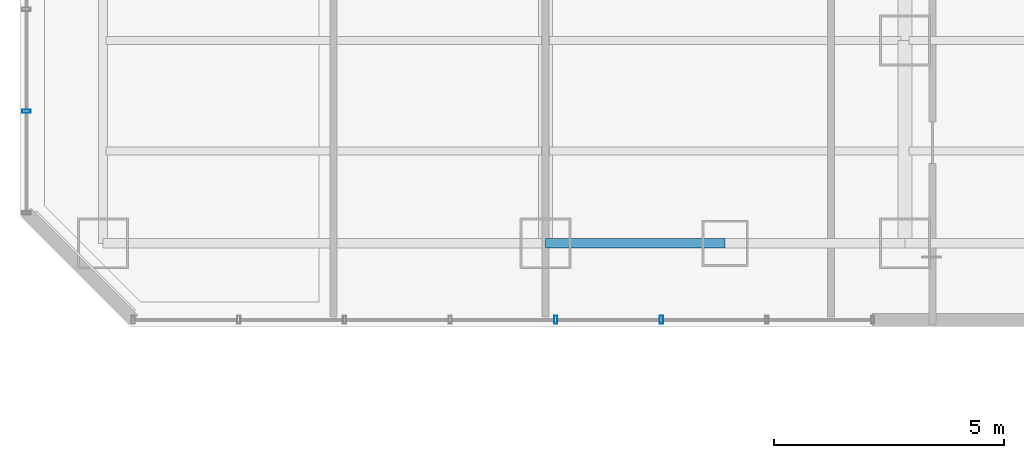
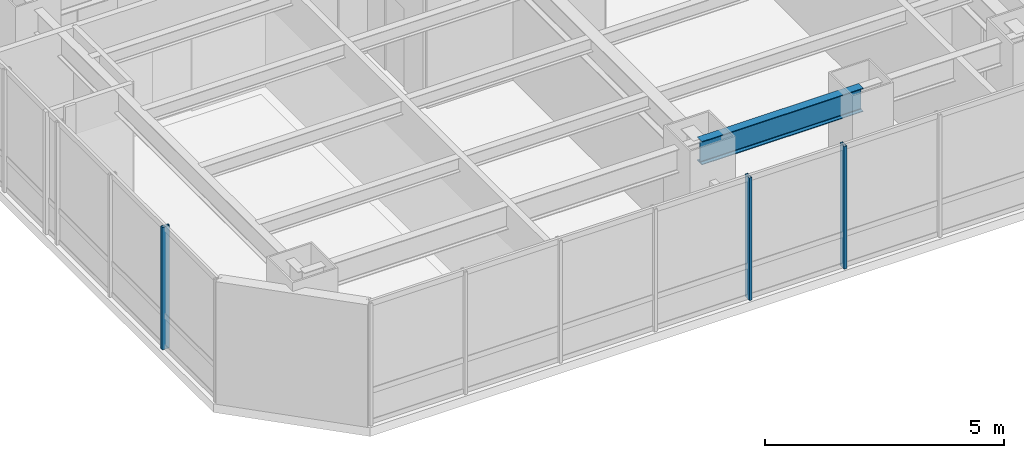
# One storey, part 4 of 38: 3 members, 1 beam, 2 elements without a shape of their own.
"""IFC4 building model written with IfcOpenShell, lengths in metres."""

from ifc_helpers import new_model, si_unit, direction, frame, origin, origin_2d, place, context, subcontext, project, spatial, hollow_rectangle, i_section, extrude, material, layer, layer_set, material_profile, profile_set, type_object, element, aggregate, save


model = new_model("IFC4")

# Units and contexts
model_context = context("Model", 3, precision=1e-05, world=origin(), true_north=direction((0.0, 1.0)))
body_context = subcontext(model_context, "Body", "Model", "MODEL_VIEW")
ifc_project = project(units=[si_unit("LENGTHUNIT", "METRE"), si_unit("AREAUNIT", "SQUARE_METRE"), si_unit("VOLUMEUNIT", "CUBIC_METRE"), si_unit("PLANEANGLEUNIT", "RADIAN"), si_unit("MASSUNIT", "GRAM", prefix="KILO")], contexts=[model_context])

# Site, building, storey
site_placement = place(None, origin())
site = spatial("IfcSite", under=ifc_project, at=site_placement, CompositionType="ELEMENT")
building_placement = place(site_placement, origin())
building = spatial("IfcBuilding", under=site, at=building_placement, Name="Hatsunagi Terrace Concourse", CompositionType="ELEMENT")
storey_placement = place(building_placement, frame((0.0, 0.0, 60.050048828125)))
storey = spatial("IfcBuildingStorey", under=building, at=storey_placement, Name="L15", CompositionType="ELEMENT", Elevation=60.050048828125)

# Curtain wall, members
ifc_material_1 = material(Name="Anodised Aluminium Alloy 6063-T5", Category="aluminium")
ifc_layer = layer(ifc_material_1, 0.199951171875)
ifc_layer_set = layer_set([ifc_layer], Name="HotelFacade_CW02")
curtain_wall_type = type_object("IfcCurtainWallType", Name="HotelFacade_CW02", PredefinedType="NOTDEFINED", material=ifc_layer_set)
curtain_wall_1_placement = place(storey_placement, origin())
curtain_wall_1 = element("IfcCurtainWall", 1, at=curtain_wall_1_placement, inside=storey, type_object=curtain_wall_type, Name="Unitised Curtain Wall CW-02 CW-L15-07", PredefinedType="NOTDEFINED")
ifc_material_2 = material(Name="Anodised Aluminium Alloy 6063-T5", Category="aluminium")
ifc_material_profile_1 = material_profile(ifc_material_2, hollow_rectangle(XDim=0.070068359375, YDim=0.179931640625, WallThickness=0.00390625, at=origin_2d()), Name="ALU-MUL-180x70x4")
ifc_profile_set_1 = profile_set([ifc_material_profile_1], Name="Anodised Aluminium Alloy 6063-T5")
member_type = type_object("IfcMemberType", Name="CurtainWallMullion_180x70", PredefinedType="MULLION", material=ifc_profile_set_1)
member_1_placement = place(storey_placement, frame((13.9169921875, 23.5400390625, 0.0), z_axis=(0.0, 0.0, 1.0), x_axis=(-1.0, 0.0, 0.0)))
member_1 = element("IfcMember", 2, at=member_1_placement, type_object=member_type, Name="Curtain Wall Mullion MUL-02", PredefinedType="MULLION", context=body_context, shape_type="SweptSolid", body=[
    extrude(hollow_rectangle(XDim=0.070068359375, YDim=0.179931640625, WallThickness=0.00390625, at=origin_2d()), origin(), (0.0, 0.0, 1.0), 3.1298828125),
])
member_2_placement = place(storey_placement, frame((11.625, 23.5400390625, 0.0), z_axis=(0.0, 0.0, 1.0), x_axis=(-1.0, 0.0, 0.0)))
member_2 = element("IfcMember", 3, at=member_2_placement, type_object=member_type, Name="Curtain Wall Mullion MUL-02", PredefinedType="MULLION", context=body_context, shape_type="SweptSolid", body=[
    extrude(hollow_rectangle(XDim=0.070068359375, YDim=0.179931640625, WallThickness=0.00390625, at=origin_2d()), origin(), (0.0, 0.0, 1.0), 3.1298828125),
])
aggregate(curtain_wall_1, [member_1, member_2])

# Curtain wall, member
curtain_wall_2_placement = place(storey_placement, origin())
curtain_wall_2 = element("IfcCurtainWall", 4, at=curtain_wall_2_placement, inside=storey, type_object=curtain_wall_type, Name="Unitised Curtain Wall CW-02 CW-L15-09", PredefinedType="NOTDEFINED")
member_3_placement = place(storey_placement, frame((0.139892578125, 28.06591796875, 0.0), z_axis=(0.0, 0.0, 1.0), x_axis=(0.0, 1.0, 0.0)))
member_3 = element("IfcMember", 5, at=member_3_placement, type_object=member_type, Name="Curtain Wall Mullion MUL-02", PredefinedType="MULLION", context=body_context, shape_type="SweptSolid", body=[
    extrude(hollow_rectangle(XDim=0.070068359375, YDim=0.179931640625, WallThickness=0.00390625, at=origin_2d()), origin(), (0.0, 0.0, 1.0), 3.1298828125),
])
aggregate(curtain_wall_2, [member_3])

# Beam
ifc_material_3 = material(Name="Steel SN490B", Category="steel")
ifc_material_profile_2 = material_profile(ifc_material_3, i_section(OverallWidth=0.199951171875, OverallDepth=0.60009765625, WebThickness=0.010986328125, FlangeThickness=0.01708984375, FilletRadius=0.01806640625, at=origin_2d()), Name="H-600x200x11x17")
ifc_profile_set_2 = profile_set([ifc_material_profile_2], Name="Steel SN490B")
beam_type = type_object("IfcBeamType", Name="PerimeterSpandrel_H_600x200", PredefinedType="SPANDREL", material=ifc_profile_set_2)
beam_placement = place(storey_placement, frame((11.39990234375, 25.199951171875, 2.829833984375), z_axis=(1.0, 0.0, 0.0), x_axis=(0.0, 1.0, 0.0)))
element("IfcBeam", 6, at=beam_placement, inside=storey, type_object=beam_type, Name="Beam SP-01 BM-L15-WS-11", PredefinedType="SPANDREL", context=body_context, shape_type="SweptSolid", body=[
    extrude(i_section(OverallWidth=0.199951171875, OverallDepth=0.60009765625, WebThickness=0.010986328125, FlangeThickness=0.01708984375, FilletRadius=0.01806640625, at=origin_2d()), origin(), (0.0, 0.0, 1.0), 3.900146484375),
])

save(model, "model.ifc")
